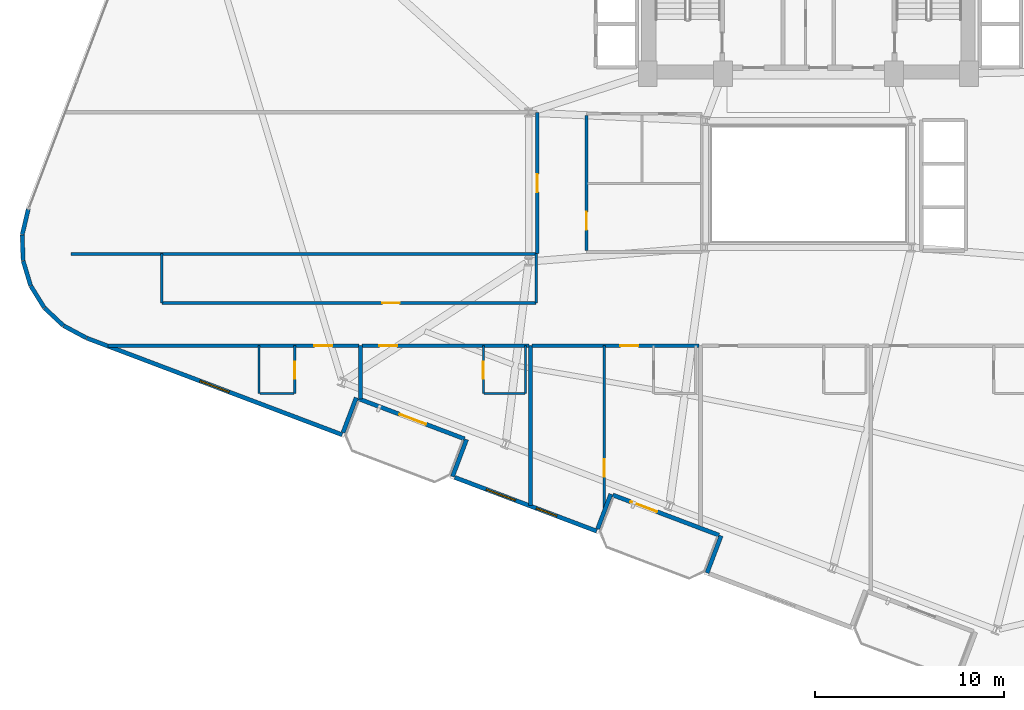
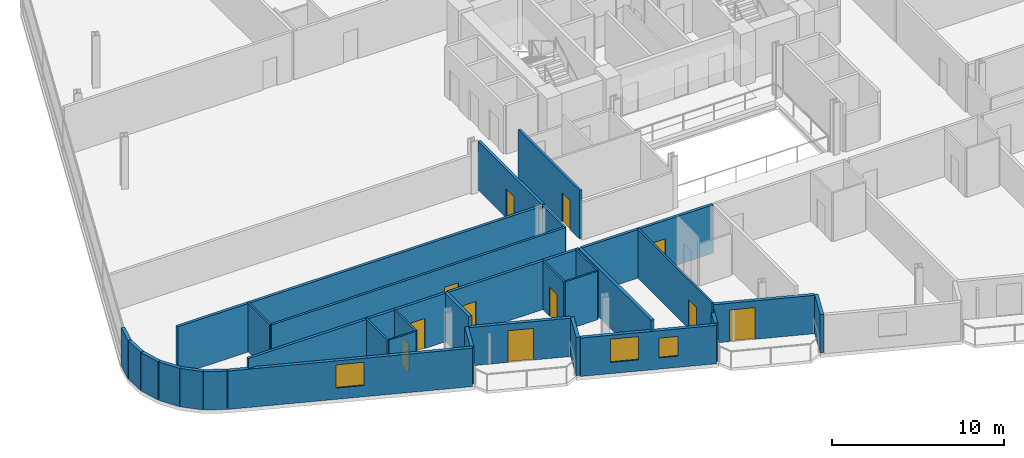
# One storey, part 18 of 26: 32 walls, 11 doors, 3 windows, 14 openings.
"""IFC4 building model written with IfcOpenShell, lengths in metres."""

from ifc_helpers import new_model, si_unit, direction, frame, frame_2d, origin, place, context, subcontext, project, spatial, rectangle, extrude, material, layer, layer_set, type_object, element, fill, save


model = new_model("IFC4")

# Units and contexts
model_context = context("Model", 3, precision=1e-05, world=origin(), true_north=direction((0.0, 1.0)))
body_context = subcontext(model_context, "Body", "Model", "MODEL_VIEW")
ifc_project = project(units=[si_unit("LENGTHUNIT", "METRE"), si_unit("AREAUNIT", "SQUARE_METRE"), si_unit("VOLUMEUNIT", "CUBIC_METRE"), si_unit("PLANEANGLEUNIT", "RADIAN"), si_unit("MASSUNIT", "GRAM", prefix="KILO")], contexts=[model_context])

# Site, building, storey
site_placement = place(None, origin())
site = spatial("IfcSite", under=ifc_project, at=site_placement, CompositionType="ELEMENT")
building_placement = place(site_placement, origin())
building = spatial("IfcBuilding", under=site, at=building_placement, Name="Varnelok Gate Tower", CompositionType="ELEMENT")
storey_placement = place(building_placement, frame((0.0, 0.0, 109.5)))
storey = spatial("IfcBuildingStorey", under=building, at=storey_placement, Name="L27", CompositionType="ELEMENT", Elevation=109.5)

# Wall, opening, door
ifc_material_1 = material(Name="Concrete C45/55", Category="concrete")
ifc_layer_1 = layer(ifc_material_1, 0.219970703125)
ifc_layer_set_1 = layer_set([ifc_layer_1], Name="Concrete C45/55")
wall_type_1 = type_object("IfcWallType", Name="EW-BALC-220", PredefinedType="SOLIDWALL", material=ifc_layer_set_1)
wall_1_placement = place(storey_placement, frame((21.00048828125, 9.42529296875, 0.0), z_axis=(0.0, 0.0, 1.0), x_axis=(-0.93521416643, 0.354082565101, 0.0)))
wall_1 = element("IfcWall", 1, at=wall_1_placement, inside=storey, type_object=wall_type_1, Name="L27 South Terrace Envelope Wall 1", PredefinedType="SOLIDWALL", context=body_context, shape_type="SweptSolid", body=[
    extrude(rectangle(XDim=6.0, YDim=0.219970703125, at=frame_2d((3.0, 0.0))), origin(), (0.0, 0.0, 1.0), 2.72998046875),
])
opening_1_placement = place(wall_1_placement, frame((2.176025390625, 0.0, 0.0)))
opening_1 = element("IfcOpeningElement", 2, at=opening_1_placement, cuts=wall_1, Name="Opening BD-1", PredefinedType="OPENING", context=body_context, shape_type="SweptSolid", body=[
    extrude(rectangle(XDim=1.5, YDim=2.25, at=frame_2d((0.75, 1.125))), frame((0.0, 0.119873046875, 0.0), z_axis=(0.0, -1.0, 0.0), x_axis=(1.0, 0.0, 0.0)), (0.0, 0.0, 1.0), 0.239990234375),
])
ifc_material_2 = material(Name="Anodized Aluminum Alloy 6063-T6", Category="aluminium")
door_type_1 = type_object("IfcDoorType", Name="DR-EXT-BALC1500", OperationType="NOTDEFINED", PredefinedType="DOOR", material=ifc_material_2)
door_1_placement = place(opening_1_placement, origin())
door_1 = element("IfcDoor", 3, at=door_1_placement, inside=storey, type_object=door_type_1, Name="L27 South Balcony Glazed Door 1", OperationType="SINGLE_SWING_RIGHT", OverallHeight=2.25, OverallWidth=1.5, PredefinedType="DOOR", context=body_context, shape_type="SweptSolid", body=[
    extrude(rectangle(XDim=1.5, YDim=2.25, at=frame_2d((0.75, 1.125))), frame((0.0, 0.02490234375, 0.0), z_axis=(0.0, -1.0, 0.0), x_axis=(1.0, 0.0, 0.0)), (0.0, 0.0, 1.0), 0.050048828125),
])
fill(opening_1, door_1)

wall_2_placement = place(storey_placement, frame((34.4677734375, 4.326904296875, 0.0), z_axis=(0.0, 0.0, 1.0), x_axis=(-0.9352192676, 0.354069091436, 0.0)))
wall_2 = element("IfcWall", 4, at=wall_2_placement, inside=storey, type_object=wall_type_1, Name="L27 South Terrace Envelope Wall 2", PredefinedType="SOLIDWALL", context=body_context, shape_type="SweptSolid", body=[
    extrude(rectangle(XDim=6.000244140625, YDim=0.219970703125, at=frame_2d((3.0, 0.0))), origin(), (0.0, 0.0, 1.0), 2.72998046875),
])
opening_2_placement = place(wall_2_placement, frame((3.508056640625, 0.0, 0.0)))
opening_2 = element("IfcOpeningElement", 5, at=opening_2_placement, cuts=wall_2, Name="Opening BD-1", PredefinedType="OPENING", context=body_context, shape_type="SweptSolid", body=[
    extrude(rectangle(XDim=1.5, YDim=2.25, at=frame_2d((0.75, 1.125))), frame((0.0, 0.119873046875, 0.0), z_axis=(0.0, -1.0, 0.0), x_axis=(1.0, 0.0, 0.0)), (0.0, 0.0, 1.0), 0.239990234375),
])
door_2_placement = place(opening_2_placement, origin())
door_2 = element("IfcDoor", 6, at=door_2_placement, inside=storey, type_object=door_type_1, Name="L27 South Balcony Glazed Door 2", OperationType="SINGLE_SWING_LEFT", OverallHeight=2.25, OverallWidth=1.5, PredefinedType="DOOR", context=body_context, shape_type="SweptSolid", body=[
    extrude(rectangle(XDim=1.5, YDim=2.25, at=frame_2d((0.75, 1.125))), frame((0.0, 0.02490234375, 0.0), z_axis=(0.0, -1.0, 0.0), x_axis=(1.0, 0.0, 0.0)), (0.0, 0.0, 1.0), 0.050048828125),
])
fill(opening_2, door_2)

# Walls
wall_3_placement = place(storey_placement, frame((-2.072509765625, 21.571533203125, 0.0), z_axis=(0.0, 0.0, 1.0), x_axis=(-0.229049207401, -0.973414845063, 0.0)))
element("IfcWall", 7, at=wall_3_placement, inside=storey, type_object=wall_type_1, Name="L27 Perimeter Facade Closure Wall 1", PredefinedType="SOLIDWALL", context=body_context, shape_type="SweptSolid", body=[
    extrude(rectangle(XDim=1.378173828125, YDim=0.219970703125, at=frame_2d((0.68896484375, 0.0))), origin(), (0.0, 0.0, 1.0), 2.72998046875),
])
wall_4_placement = place(storey_placement, frame((-2.387451171875, 20.205078125, 0.0), z_axis=(0.0, 0.0, 1.0), x_axis=(0.030857297317, -0.999523800218, 0.0)))
element("IfcWall", 8, at=wall_4_placement, inside=storey, type_object=wall_type_1, Name="L27 Perimeter Facade Closure Wall 2", PredefinedType="SOLIDWALL", context=body_context, shape_type="SweptSolid", body=[
    extrude(rectangle(XDim=1.35302734375, YDim=0.219970703125, at=frame_2d((0.676513671875, 0.0))), origin(), (0.0, 0.0, 1.0), 2.72998046875),
])
wall_5_placement = place(storey_placement, frame((-2.33837890625, 18.82861328125, 0.0), z_axis=(0.0, 0.0, 1.0), x_axis=(0.288374187109, -0.957517795244, 0.0)))
element("IfcWall", 9, at=wall_5_placement, inside=storey, type_object=wall_type_1, Name="L27 Perimeter Facade Closure Wall 3", PredefinedType="SOLIDWALL", context=body_context, shape_type="SweptSolid", body=[
    extrude(rectangle(XDim=1.352783203125, YDim=0.219970703125, at=frame_2d((0.67626953125, 0.0))), origin(), (0.0, 0.0, 1.0), 2.72998046875),
])
wall_6_placement = place(storey_placement, frame((-1.93505859375, 17.511962890625, 0.0), z_axis=(0.0, 0.0, 1.0), x_axis=(0.526360826676, -0.850261301096, 0.0)))
element("IfcWall", 10, at=wall_6_placement, inside=storey, type_object=wall_type_1, Name="L27 Perimeter Facade Closure Wall 4", PredefinedType="SOLIDWALL", context=body_context, shape_type="SweptSolid", body=[
    extrude(rectangle(XDim=1.35302734375, YDim=0.219970703125, at=frame_2d((0.676513671875, 0.0))), origin(), (0.0, 0.0, 1.0), 2.72998046875),
])
wall_7_placement = place(storey_placement, frame((-1.20458984375, 16.344482421875, 0.0), z_axis=(0.0, 0.0, 1.0), x_axis=(0.7285124142, -0.685032599484, 0.0)))
element("IfcWall", 11, at=wall_7_placement, inside=storey, type_object=wall_type_1, Name="L27 Perimeter Facade Closure Wall 5", PredefinedType="SOLIDWALL", context=body_context, shape_type="SweptSolid", body=[
    extrude(rectangle(XDim=1.353271484375, YDim=0.219970703125, at=frame_2d((0.6767578125, 0.0))), origin(), (0.0, 0.0, 1.0), 2.72998046875),
])
wall_8_placement = place(storey_placement, frame((-0.19677734375, 15.405517578125, 0.0), z_axis=(0.0, 0.0, 1.0), x_axis=(0.881023507585, -0.47307248819, 0.0)))
element("IfcWall", 12, at=wall_8_placement, inside=storey, type_object=wall_type_1, Name="L27 Perimeter Facade Closure Wall 6", PredefinedType="SOLIDWALL", context=body_context, shape_type="SweptSolid", body=[
    extrude(rectangle(XDim=1.36083984375, YDim=0.219970703125, at=frame_2d((0.680419921875, 0.0))), origin(), (0.0, 0.0, 1.0), 2.72998046875),
])

# Wall, opening, window
wall_9_placement = place(storey_placement, frame((1.025634765625, 14.7529296875, 0.0), z_axis=(0.0, 0.0, 1.0), x_axis=(0.935222448475, -0.354060689526, 0.0)))
wall_9 = element("IfcWall", 13, at=wall_9_placement, inside=storey, type_object=wall_type_1, Name="L27 Perimeter Facade Closure Wall 7", PredefinedType="SOLIDWALL", context=body_context, shape_type="SweptSolid", body=[
    extrude(rectangle(XDim=14.447265625, YDim=0.219970703125, at=frame_2d((7.2236328125, 0.0))), origin(), (0.0, 0.0, 1.0), 2.72998046875),
])
opening_3_placement = place(wall_9_placement, frame((6.398681640625, 0.0, 0.800048828125)))
opening_3 = element("IfcOpeningElement", 14, at=opening_3_placement, cuts=wall_9, Name="Opening WN3", PredefinedType="OPENING", context=body_context, shape_type="SweptSolid", body=[
    extrude(rectangle(XDim=1.64990234375, YDim=1.64990234375, at=frame_2d((0.824951171875, 0.824951171875))), frame((0.0, 0.119873046875, 0.0), z_axis=(0.0, -1.0, 0.0), x_axis=(1.0, 0.0, 0.0)), (0.0, 0.0, 1.0), 0.239990234375),
])
ifc_material_3 = material(Name="Low-E Laminated Double Glazing IGU", Category="glass")
window_type_1 = type_object("IfcWindowType", Name="WN-HTL-1650", PartitioningType="SINGLE_PANEL", PredefinedType="WINDOW", material=ifc_material_3)
window_1_placement = place(opening_3_placement, origin())
window_1 = element("IfcWindow", 15, at=window_1_placement, inside=storey, type_object=window_type_1, Name="L27 Perimeter Vision Window 7", OverallHeight=1.64990234375, OverallWidth=1.64990234375, PartitioningType="SINGLE_PANEL", PredefinedType="WINDOW", context=body_context, shape_type="SweptSolid", body=[
    extrude(rectangle(XDim=1.64990234375, YDim=1.64990234375, at=frame_2d((0.824951171875, 0.824951171875))), frame((0.0, 0.030029296875, 0.0), z_axis=(0.0, -1.0, 0.0), x_axis=(1.0, 0.0, 0.0)), (0.0, 0.0, 1.0), 0.06005859375),
])
fill(opening_3, window_1)

# Walls
wall_10_placement = place(storey_placement, frame((14.581298828125, 9.754638671875, 0.0), z_axis=(0.0, 0.0, 1.0), x_axis=(0.354061611705, 0.935222099352, 0.0)))
element("IfcWall", 16, at=wall_10_placement, inside=storey, type_object=wall_type_1, Name="L27 Perimeter Facade Closure Wall 8", PredefinedType="SOLIDWALL", context=body_context, shape_type="SweptSolid", body=[
    extrude(rectangle(XDim=1.974853515625, YDim=0.219970703125, at=frame_2d((0.9873046875, 0.0))), origin(), (0.0, 0.0, 1.0), 2.72998046875),
])
wall_11_placement = place(storey_placement, frame((21.1162109375, 9.392333984375, 0.0), z_axis=(0.0, 0.0, 1.0), x_axis=(-0.353988291547, -0.935249854022, 0.0)))
element("IfcWall", 17, at=wall_11_placement, inside=storey, type_object=wall_type_1, Name="L27 Perimeter Facade Closure Wall 9", PredefinedType="SOLIDWALL", context=body_context, shape_type="SweptSolid", body=[
    extrude(rectangle(XDim=2.10009765625, YDim=0.219970703125, at=frame_2d((1.050048828125, 0.0))), origin(), (0.0, 0.0, 1.0), 2.72998046875),
])

# Wall, openings, windows
wall_12_placement = place(storey_placement, frame((20.489501953125, 7.384033203125, 0.0), z_axis=(0.0, 0.0, 1.0), x_axis=(0.935230796934, -0.354038636968, 0.0)))
wall_12 = element("IfcWall", 18, at=wall_12_placement, inside=storey, type_object=wall_type_1, Name="L27 Perimeter Facade Closure Wall 10", PredefinedType="SOLIDWALL", context=body_context, shape_type="SweptSolid", body=[
    extrude(rectangle(XDim=8.03515625, YDim=0.219970703125, at=frame_2d((4.017578125, 0.0))), origin(), (0.0, 0.0, 1.0), 2.72998046875),
])
opening_4_placement = place(wall_12_placement, frame((1.787841796875, 0.0, 0.800048828125)))
opening_4 = element("IfcOpeningElement", 19, at=opening_4_placement, cuts=wall_12, Name="Opening WN3", PredefinedType="OPENING", context=body_context, shape_type="SweptSolid", body=[
    extrude(rectangle(XDim=1.64990234375, YDim=1.64990234375, at=frame_2d((0.824951171875, 0.824951171875))), frame((0.0, 0.119873046875, 0.0), z_axis=(0.0, -1.0, 0.0), x_axis=(1.0, 0.0, 0.0)), (0.0, 0.0, 1.0), 0.239990234375),
])
opening_5_placement = place(wall_12_placement, frame((4.62158203125, 0.0, 0.800048828125)))
opening_5 = element("IfcOpeningElement", 20, at=opening_5_placement, cuts=wall_12, Name="Opening WN8", PredefinedType="OPENING", context=body_context, shape_type="SweptSolid", body=[
    extrude(rectangle(XDim=1.14990234375, YDim=1.39990234375, at=frame_2d((0.574951171875, 0.699951171875))), frame((0.0, 0.119873046875, 0.0), z_axis=(0.0, -1.0, 0.0), x_axis=(1.0, 0.0, 0.0)), (0.0, 0.0, 1.0), 0.239990234375),
])
window_type_2 = type_object("IfcWindowType", Name="WN-BED-1150", PartitioningType="SINGLE_PANEL", PredefinedType="WINDOW", material=ifc_material_3)
window_2_placement = place(opening_5_placement, origin())
window_2 = element("IfcWindow", 21, at=window_2_placement, inside=storey, type_object=window_type_2, Name="L27 Bedroom Vision Window 13", OverallHeight=1.39990234375, OverallWidth=1.14990234375, PartitioningType="SINGLE_PANEL", PredefinedType="WINDOW", context=body_context, shape_type="SweptSolid", body=[
    extrude(rectangle(XDim=1.14990234375, YDim=1.39990234375, at=frame_2d((0.574951171875, 0.699951171875))), frame((0.0, 0.030029296875, 0.0), z_axis=(0.0, -1.0, 0.0), x_axis=(1.0, 0.0, 0.0)), (0.0, 0.0, 1.0), 0.06005859375),
])
fill(opening_5, window_2)
window_3_placement = place(opening_4_placement, origin())
window_3 = element("IfcWindow", 22, at=window_3_placement, inside=storey, type_object=window_type_1, Name="L27 Perimeter Vision Window 10", OverallHeight=1.64990234375, OverallWidth=1.64990234375, PartitioningType="SINGLE_PANEL", PredefinedType="WINDOW", context=body_context, shape_type="SweptSolid", body=[
    extrude(rectangle(XDim=1.64990234375, YDim=1.64990234375, at=frame_2d((0.824951171875, 0.824951171875))), frame((0.0, 0.030029296875, 0.0), z_axis=(0.0, -1.0, 0.0), x_axis=(1.0, 0.0, 0.0)), (0.0, 0.0, 1.0), 0.06005859375),
])
fill(opening_4, window_3)

# Walls
wall_13_placement = place(storey_placement, frame((28.04833984375, 4.656005859375, 0.0), z_axis=(0.0, 0.0, 1.0), x_axis=(0.354128791944, 0.935196663123, 0.0)))
element("IfcWall", 23, at=wall_13_placement, inside=storey, type_object=wall_type_1, Name="L27 Perimeter Facade Closure Wall 11", PredefinedType="SOLIDWALL", context=body_context, shape_type="SweptSolid", body=[
    extrude(rectangle(XDim=1.97509765625, YDim=0.219970703125, at=frame_2d((0.987548828125, 0.0))), origin(), (0.0, 0.0, 1.0), 2.72998046875),
])
wall_14_placement = place(storey_placement, frame((34.58349609375, 4.293701171875, 0.0), z_axis=(0.0, 0.0, 1.0), x_axis=(-0.354128469405, -0.935196785258, 0.0)))
element("IfcWall", 24, at=wall_14_placement, inside=storey, type_object=wall_type_1, Name="L27 Perimeter Facade Closure Wall 12", PredefinedType="SOLIDWALL", context=body_context, shape_type="SweptSolid", body=[
    extrude(rectangle(XDim=2.099853515625, YDim=0.219970703125, at=frame_2d((1.0498046875, 0.0))), origin(), (0.0, 0.0, 1.0), 2.72998046875),
])

# Wall, opening, door
ifc_material_4 = material(Name="Gypsum Plasterboard Acoustic Partition", Category="gypsum")
ifc_layer_2 = layer(ifc_material_4, 0.179931640625)
ifc_layer_set_2 = layer_set([ifc_layer_2], Name="Gypsum Plasterboard Acoustic Partition")
wall_type_2 = type_object("IfcWallType", Name="PW-CORR-180", PredefinedType="PARTITIONING", material=ifc_layer_set_2)
wall_15_placement = place(storey_placement, frame((2.146240234375, 14.35009765625, 0.0), z_axis=(0.0, 0.0, 1.0), x_axis=(1.0, 0.0, 0.0)))
wall_15 = element("IfcWall", 25, at=wall_15_placement, inside=storey, type_object=wall_type_2, Name="Interior Partition", PredefinedType="PARTITIONING", context=body_context, shape_type="SweptSolid", body=[
    extrude(rectangle(XDim=13.273681640625, YDim=0.179931640625, at=frame_2d((6.63671875, 0.0))), origin(), (0.0, 0.0, 1.0), 3.449951171875),
])
opening_6_placement = place(wall_15_placement, frame((10.923583984375, 0.0, 0.0)))
opening_6 = element("IfcOpeningElement", 26, at=opening_6_placement, cuts=wall_15, Name="Opening D-HT", PredefinedType="OPENING", context=body_context, shape_type="SweptSolid", body=[
    extrude(rectangle(XDim=0.949951171875, YDim=2.14990234375, at=frame_2d((0.47509765625, 1.074951171875))), frame((0.0, 0.099853515625, 0.0), z_axis=(0.0, -1.0, 0.0), x_axis=(1.0, 0.0, 0.0)), (0.0, 0.0, 1.0), 0.199951171875),
])
ifc_material_5 = material(Name="Engineered Hardwood Timber", Category="wood")
door_type_2 = type_object("IfcDoorType", Name="DR-HTL-950", OperationType="NOTDEFINED", PredefinedType="DOOR", material=ifc_material_5)
door_3_placement = place(opening_6_placement, origin())
door_3 = element("IfcDoor", 27, at=door_3_placement, inside=storey, type_object=door_type_2, Name="L27 Guest Room 01 Entrance Door", OperationType="SINGLE_SWING_RIGHT", OverallHeight=2.14990234375, OverallWidth=0.949951171875, PredefinedType="DOOR", context=body_context, shape_type="SweptSolid", body=[
    extrude(rectangle(XDim=0.949951171875, YDim=2.14990234375, at=frame_2d((0.47509765625, 1.074951171875))), frame((0.0, 0.02490234375, 0.0), z_axis=(0.0, -1.0, 0.0), x_axis=(1.0, 0.0, 0.0)), (0.0, 0.0, 1.0), 0.050048828125),
])
fill(opening_6, door_3)

wall_16_placement = place(storey_placement, frame((15.580078125, 14.35009765625, 0.0), z_axis=(0.0, 0.0, 1.0), x_axis=(1.0, 0.0, 0.0)))
wall_16 = element("IfcWall", 28, at=wall_16_placement, inside=storey, type_object=wall_type_2, Name="Interior Partition", PredefinedType="PARTITIONING", context=body_context, shape_type="SweptSolid", body=[
    extrude(rectangle(XDim=8.83984375, YDim=0.179931640625, at=frame_2d((4.419921875, 0.0))), origin(), (0.0, 0.0, 1.0), 3.449951171875),
])
opening_7_placement = place(wall_16_placement, frame((0.91796875, 0.0, 0.0)))
opening_7 = element("IfcOpeningElement", 29, at=opening_7_placement, cuts=wall_16, Name="Opening D-HT", PredefinedType="OPENING", context=body_context, shape_type="SweptSolid", body=[
    extrude(rectangle(XDim=0.949951171875, YDim=2.14990234375, at=frame_2d((0.47509765625, 1.074951171875))), frame((0.0, 0.099853515625, 0.0), z_axis=(0.0, -1.0, 0.0), x_axis=(1.0, 0.0, 0.0)), (0.0, 0.0, 1.0), 0.199951171875),
])
door_4_placement = place(opening_7_placement, origin())
door_4 = element("IfcDoor", 30, at=door_4_placement, inside=storey, type_object=door_type_2, Name="L27 Guest Room 02 Entrance Door", OperationType="SINGLE_SWING_LEFT", OverallHeight=2.14990234375, OverallWidth=0.949951171875, PredefinedType="DOOR", context=body_context, shape_type="SweptSolid", body=[
    extrude(rectangle(XDim=0.949951171875, YDim=2.14990234375, at=frame_2d((0.47509765625, 1.074951171875))), frame((0.0, 0.02490234375, 0.0), z_axis=(0.0, -1.0, 0.0), x_axis=(1.0, 0.0, 0.0)), (0.0, 0.0, 1.0), 0.050048828125),
])
fill(opening_7, door_4)

wall_17_placement = place(storey_placement, frame((24.580078125, 14.35009765625, 0.0), z_axis=(0.0, 0.0, 1.0), x_axis=(1.0, 0.0, 0.0)))
wall_17 = element("IfcWall", 31, at=wall_17_placement, inside=storey, type_object=wall_type_2, Name="Interior Partition", PredefinedType="PARTITIONING", context=body_context, shape_type="SweptSolid", body=[
    extrude(rectangle(XDim=8.83984375, YDim=0.179931640625, at=frame_2d((4.419921875, 0.0))), origin(), (0.0, 0.0, 1.0), 3.449951171875),
])
opening_8_placement = place(wall_17_placement, frame((4.679931640625, 0.0, 0.0)))
opening_8 = element("IfcOpeningElement", 32, at=opening_8_placement, cuts=wall_17, Name="Opening D-HT", PredefinedType="OPENING", context=body_context, shape_type="SweptSolid", body=[
    extrude(rectangle(XDim=0.949951171875, YDim=2.14990234375, at=frame_2d((0.47509765625, 1.074951171875))), frame((0.0, 0.099853515625, 0.0), z_axis=(0.0, -1.0, 0.0), x_axis=(1.0, 0.0, 0.0)), (0.0, 0.0, 1.0), 0.199951171875),
])
door_5_placement = place(opening_8_placement, origin())
door_5 = element("IfcDoor", 33, at=door_5_placement, inside=storey, type_object=door_type_2, Name="L27 Guest Room 03 Entrance Door", OperationType="SINGLE_SWING_RIGHT", OverallHeight=2.14990234375, OverallWidth=0.949951171875, PredefinedType="DOOR", context=body_context, shape_type="SweptSolid", body=[
    extrude(rectangle(XDim=0.949951171875, YDim=2.14990234375, at=frame_2d((0.47509765625, 1.074951171875))), frame((0.0, 0.02490234375, 0.0), z_axis=(0.0, -1.0, 0.0), x_axis=(1.0, 0.0, 0.0)), (0.0, 0.0, 1.0), 0.050048828125),
])
fill(opening_8, door_5)

wall_18_placement = place(storey_placement, frame((24.85009765625, 19.239990234375, 0.0), z_axis=(0.0, 0.0, 1.0), x_axis=(0.0, 1.0, 0.0)))
wall_18 = element("IfcWall", 34, at=wall_18_placement, inside=storey, type_object=wall_type_2, Name="Interior Partition", PredefinedType="PARTITIONING", context=body_context, shape_type="SweptSolid", body=[
    extrude(rectangle(XDim=7.4599609375, YDim=0.179931640625, at=frame_2d((3.72998046875, 0.0))), origin(), (0.0, 0.0, 1.0), 3.449951171875),
])
opening_9_placement = place(wall_18_placement, frame((3.235107421875, 0.0, 0.0)))
opening_9 = element("IfcOpeningElement", 35, at=opening_9_placement, cuts=wall_18, Name="Opening D-I2", PredefinedType="OPENING", context=body_context, shape_type="SweptSolid", body=[
    extrude(rectangle(XDim=0.949951171875, YDim=2.050048828125, at=frame_2d((0.47509765625, 1.02490234375))), frame((0.0, 0.099853515625, 0.0), z_axis=(0.0, -1.0, 0.0), x_axis=(1.0, 0.0, 0.0)), (0.0, 0.0, 1.0), 0.199951171875),
])
door_type_3 = type_object("IfcDoorType", Name="DR-INT-950", OperationType="NOTDEFINED", PredefinedType="DOOR", material=ifc_material_5)
door_6_placement = place(opening_9_placement, origin())
door_6 = element("IfcDoor", 36, at=door_6_placement, inside=storey, type_object=door_type_3, Name="L27 West Flank Room Door", OperationType="SINGLE_SWING_LEFT", OverallHeight=2.050048828125, OverallWidth=0.949951171875, PredefinedType="DOOR", context=body_context, shape_type="SweptSolid", body=[
    extrude(rectangle(XDim=0.949951171875, YDim=2.050048828125, at=frame_2d((0.47509765625, 1.02490234375))), frame((0.0, 0.02490234375, 0.0), z_axis=(0.0, -1.0, 0.0), x_axis=(1.0, 0.0, 0.0)), (0.0, 0.0, 1.0), 0.050048828125),
])
fill(opening_9, door_6)

# Walls
wall_19_placement = place(storey_placement, frame((0.199951171875, 19.199951171875, 0.0), z_axis=(0.0, 0.0, 1.0), x_axis=(1.0, 0.0, 0.0)))
element("IfcWall", 37, at=wall_19_placement, inside=storey, type_object=wall_type_2, Name="Interior Partition", PredefinedType="PARTITIONING", context=body_context, shape_type="SweptSolid", body=[
    extrude(rectangle(XDim=24.650146484375, YDim=0.179931640625, at=frame_2d((12.3251953125, 0.0))), origin(), (0.0, 0.0, 1.0), 3.449951171875),
])
ifc_layer_3 = layer(ifc_material_4, 0.114990234375)
ifc_layer_set_3 = layer_set([ifc_layer_3], Name="Gypsum Plasterboard Acoustic Partition")
wall_type_3 = type_object("IfcWallType", Name="PW-ENS-125", PredefinedType="PARTITIONING", material=ifc_layer_set_3)
wall_20_placement = place(storey_placement, frame((10.179931640625, 11.830078125, 0.0), z_axis=(0.0, 0.0, 1.0), x_axis=(1.0, 0.0, 0.0)))
element("IfcWall", 38, at=wall_20_placement, inside=storey, type_object=wall_type_3, Name="Interior Partition", PredefinedType="PARTITIONING", context=body_context, shape_type="SweptSolid", body=[
    extrude(rectangle(XDim=1.807373046875, YDim=0.114990234375, at=frame_2d((0.90380859375, 0.0))), origin(), (0.0, 0.0, 1.0), 3.449951171875),
])

# Wall, opening, door
wall_21_placement = place(storey_placement, frame((12.027099609375, 11.830078125, 0.0), z_axis=(0.0, 0.0, 1.0), x_axis=(0.0, 1.0, 0.0)))
wall_21 = element("IfcWall", 39, at=wall_21_placement, inside=storey, type_object=wall_type_3, Name="Interior Partition", PredefinedType="PARTITIONING", context=body_context, shape_type="SweptSolid", body=[
    extrude(rectangle(XDim=2.52001953125, YDim=0.114990234375, at=frame_2d((1.260009765625, 0.0))), origin(), (0.0, 0.0, 1.0), 3.449951171875),
])
opening_10_placement = place(wall_21_placement, frame((0.760009765625, 0.0, 0.0)))
opening_10 = element("IfcOpeningElement", 40, at=opening_10_placement, cuts=wall_21, Name="Opening D-WC", PredefinedType="OPENING", context=body_context, shape_type="SweptSolid", body=[
    extrude(rectangle(XDim=0.89990234375, YDim=2.050048828125, at=frame_2d((0.449951171875, 1.02490234375))), frame((0.0, 0.0673828125, 0.0), z_axis=(0.0, -1.0, 0.0), x_axis=(1.0, 0.0, 0.0)), (0.0, 0.0, 1.0), 0.135009765625),
])
door_type_4 = type_object("IfcDoorType", Name="DR-BATH-900", OperationType="NOTDEFINED", PredefinedType="DOOR", material=ifc_material_5)
door_7_placement = place(opening_10_placement, origin())
door_7 = element("IfcDoor", 41, at=door_7_placement, inside=storey, type_object=door_type_4, Name="L27 Guest En-Suite 01 Door", OperationType="SINGLE_SWING_LEFT", OverallHeight=2.050048828125, OverallWidth=0.89990234375, PredefinedType="DOOR", context=body_context, shape_type="SweptSolid", body=[
    extrude(rectangle(XDim=0.89990234375, YDim=2.050048828125, at=frame_2d((0.449951171875, 1.02490234375))), frame((0.0, 0.02490234375, 0.0), z_axis=(0.0, -1.0, 0.0), x_axis=(1.0, 0.0, 0.0)), (0.0, 0.0, 1.0), 0.050048828125),
])
fill(opening_10, door_7)

# Walls
wall_22_placement = place(storey_placement, frame((10.139892578125, 11.830078125, 0.0), z_axis=(0.0, 0.0, 1.0), x_axis=(0.0, 1.0, 0.0)))
element("IfcWall", 42, at=wall_22_placement, inside=storey, type_object=wall_type_3, Name="Interior Partition", PredefinedType="PARTITIONING", context=body_context, shape_type="SweptSolid", body=[
    extrude(rectangle(XDim=2.52001953125, YDim=0.114990234375, at=frame_2d((1.260009765625, 0.0))), origin(), (0.0, 0.0, 1.0), 3.449951171875),
])
wall_23_placement = place(storey_placement, frame((22.050048828125, 11.830078125, 0.0), z_axis=(0.0, 0.0, 1.0), x_axis=(1.0, 0.0, 0.0)))
element("IfcWall", 43, at=wall_23_placement, inside=storey, type_object=wall_type_3, Name="Interior Partition", PredefinedType="PARTITIONING", context=body_context, shape_type="SweptSolid", body=[
    extrude(rectangle(XDim=2.14990234375, YDim=0.114990234375, at=frame_2d((1.074951171875, 0.0))), origin(), (0.0, 0.0, 1.0), 3.449951171875),
])

# Wall, opening, door
wall_24_placement = place(storey_placement, frame((22.010009765625, 11.830078125, 0.0), z_axis=(0.0, 0.0, 1.0), x_axis=(0.0, 1.0, 0.0)))
wall_24 = element("IfcWall", 44, at=wall_24_placement, inside=storey, type_object=wall_type_3, Name="Interior Partition", PredefinedType="PARTITIONING", context=body_context, shape_type="SweptSolid", body=[
    extrude(rectangle(XDim=2.52001953125, YDim=0.114990234375, at=frame_2d((1.260009765625, 0.0))), origin(), (0.0, 0.0, 1.0), 3.449951171875),
])
opening_11_placement = place(wall_24_placement, frame((0.760009765625, 0.0, 0.0)))
opening_11 = element("IfcOpeningElement", 45, at=opening_11_placement, cuts=wall_24, Name="Opening D-WC", PredefinedType="OPENING", context=body_context, shape_type="SweptSolid", body=[
    extrude(rectangle(XDim=0.89990234375, YDim=2.050048828125, at=frame_2d((0.449951171875, 1.02490234375))), frame((0.0, 0.0673828125, 0.0), z_axis=(0.0, -1.0, 0.0), x_axis=(1.0, 0.0, 0.0)), (0.0, 0.0, 1.0), 0.135009765625),
])
door_8_placement = place(opening_11_placement, origin())
door_8 = element("IfcDoor", 46, at=door_8_placement, inside=storey, type_object=door_type_4, Name="L27 Guest En-Suite 02 Door", OperationType="SINGLE_SWING_RIGHT", OverallHeight=2.050048828125, OverallWidth=0.89990234375, PredefinedType="DOOR", context=body_context, shape_type="SweptSolid", body=[
    extrude(rectangle(XDim=0.89990234375, YDim=2.050048828125, at=frame_2d((0.449951171875, 1.02490234375))), frame((0.0, 0.02490234375, 0.0), z_axis=(0.0, -1.0, 0.0), x_axis=(1.0, 0.0, 0.0)), (0.0, 0.0, 1.0), 0.050048828125),
])
fill(opening_11, door_8)

# Walls
wall_25_placement = place(storey_placement, frame((24.239990234375, 11.830078125, 0.0), z_axis=(0.0, 0.0, 1.0), x_axis=(0.0, 1.0, 0.0)))
element("IfcWall", 47, at=wall_25_placement, inside=storey, type_object=wall_type_3, Name="Interior Partition", PredefinedType="PARTITIONING", context=body_context, shape_type="SweptSolid", body=[
    extrude(rectangle(XDim=2.52001953125, YDim=0.114990234375, at=frame_2d((1.260009765625, 0.0))), origin(), (0.0, 0.0, 1.0), 3.449951171875),
])
ifc_layer_4 = layer(ifc_material_4, 0.125)
ifc_layer_set_4 = layer_set([ifc_layer_4], Name="Gypsum Plasterboard Acoustic Partition")
wall_type_4 = type_object("IfcWallType", Name="PW-PART-125", PredefinedType="PARTITIONING", material=ifc_layer_set_4)
for number, where, z_axis, x_axis, name in (
    (48, (5.0, 16.610107421875, 0.0), (0.0, 0.0, 1.0), (0.0, 1.0, 0.0), "Interior Partition"),
    (49, (24.800048828125, 16.610107421875, 0.0), (0.0, 0.0, 1.0), (0.0, 1.0, 0.0), "Interior Partition"),
):
    element("IfcWall", number, at=place(storey_placement, frame(where, z_axis=z_axis, x_axis=x_axis)), inside=storey, type_object=wall_type_4, Name=name, PredefinedType="PARTITIONING", context=body_context, shape_type="SweptSolid", body=[
        extrude(rectangle(XDim=2.6298828125, YDim=0.125, at=frame_2d((1.31494140625, 0.0))), origin(), (0.0, 0.0, 1.0), 3.449951171875),
    ])

# Wall, opening, door
wall_26_placement = place(storey_placement, frame((28.39990234375, 5.641357421875, 0.0), z_axis=(0.0, 0.0, 1.0), x_axis=(0.0, 1.0, 0.0)))
wall_26 = element("IfcWall", 50, at=wall_26_placement, inside=storey, type_object=wall_type_4, Name="Interior Partition", PredefinedType="PARTITIONING", context=body_context, shape_type="SweptSolid", body=[
    extrude(rectangle(XDim=8.708740234375, YDim=0.125, at=frame_2d((4.3544921875, 0.0))), origin(), (0.0, 0.0, 1.0), 3.449951171875),
])
opening_12_placement = place(wall_26_placement, frame((1.77197265625, 0.0, 0.0)))
opening_12 = element("IfcOpeningElement", 51, at=opening_12_placement, cuts=wall_26, Name="Opening D-I3", PredefinedType="OPENING", context=body_context, shape_type="SweptSolid", body=[
    extrude(rectangle(XDim=0.919921875, YDim=2.050048828125, at=frame_2d((0.4599609375, 1.02490234375))), frame((0.0, 0.072509765625, 0.0), z_axis=(0.0, -1.0, 0.0), x_axis=(1.0, 0.0, 0.0)), (0.0, 0.0, 1.0), 0.14501953125),
])
door_type_5 = type_object("IfcDoorType", Name="DR-INT-920", OperationType="NOTDEFINED", PredefinedType="DOOR", material=ifc_material_5)
door_9_placement = place(opening_12_placement, origin())
door_9 = element("IfcDoor", 52, at=door_9_placement, inside=storey, type_object=door_type_5, Name="L27 Suite Bedroom Door 3", OperationType="SINGLE_SWING_LEFT", OverallHeight=2.050048828125, OverallWidth=0.919921875, PredefinedType="DOOR", context=body_context, shape_type="SweptSolid", body=[
    extrude(rectangle(XDim=0.919921875, YDim=2.050048828125, at=frame_2d((0.4599609375, 1.02490234375))), frame((0.0, 0.02490234375, 0.0), z_axis=(0.0, -1.0, 0.0), x_axis=(1.0, 0.0, 0.0)), (0.0, 0.0, 1.0), 0.050048828125),
])
fill(opening_12, door_9)

ifc_layer_5 = layer(ifc_material_4, 0.14990234375)
ifc_layer_set_5 = layer_set([ifc_layer_5], Name="Gypsum Plasterboard Acoustic Partition")
wall_type_5 = type_object("IfcWallType", Name="PW-PART-150", PredefinedType="PARTITIONING", material=ifc_layer_set_5)
wall_27_placement = place(storey_placement, frame((5.0, 16.610107421875, 0.0), z_axis=(0.0, 0.0, 1.0), x_axis=(1.0, 0.0, 0.0)))
wall_27 = element("IfcWall", 53, at=wall_27_placement, inside=storey, type_object=wall_type_5, Name="Interior Partition", PredefinedType="PARTITIONING", context=body_context, shape_type="SweptSolid", body=[
    extrude(rectangle(XDim=19.800048828125, YDim=0.14990234375, at=frame_2d((9.89990234375, 0.0))), origin(), (0.0, 0.0, 1.0), 3.449951171875),
])
opening_13_placement = place(wall_27_placement, frame((11.659912109375, 0.0, 0.0)))
opening_13 = element("IfcOpeningElement", 54, at=opening_13_placement, cuts=wall_27, Name="Opening D-I3", PredefinedType="OPENING", context=body_context, shape_type="SweptSolid", body=[
    extrude(rectangle(XDim=0.919921875, YDim=2.050048828125, at=frame_2d((0.4599609375, 1.02490234375))), frame((0.0, 0.0849609375, 0.0), z_axis=(0.0, -1.0, 0.0), x_axis=(1.0, 0.0, 0.0)), (0.0, 0.0, 1.0), 0.169921875),
])
door_10_placement = place(opening_13_placement, origin())
door_10 = element("IfcDoor", 55, at=door_10_placement, inside=storey, type_object=door_type_5, Name="L27 Atrium Room 1 Door", OperationType="SINGLE_SWING_LEFT", OverallHeight=2.050048828125, OverallWidth=0.919921875, PredefinedType="DOOR", context=body_context, shape_type="SweptSolid", body=[
    extrude(rectangle(XDim=0.919921875, YDim=2.050048828125, at=frame_2d((0.4599609375, 1.02490234375))), frame((0.0, 0.02490234375, 0.0), z_axis=(0.0, -1.0, 0.0), x_axis=(1.0, 0.0, 0.0)), (0.0, 0.0, 1.0), 0.050048828125),
])
fill(opening_13, door_10)

wall_28_placement = place(storey_placement, frame((27.4599609375, 19.3798828125, 0.0), z_axis=(0.0, 0.0, 1.0), x_axis=(0.0, 1.0, 0.0)))
wall_28 = element("IfcWall", 56, at=wall_28_placement, inside=storey, type_object=wall_type_5, Name="Interior Partition", PredefinedType="PARTITIONING", context=body_context, shape_type="SweptSolid", body=[
    extrude(rectangle(XDim=7.16015625, YDim=0.14990234375, at=frame_2d((3.580078125, 0.0))), origin(), (0.0, 0.0, 1.0), 3.449951171875),
])
opening_14_placement = place(wall_28_placement, frame((1.10009765625, 0.0, 0.0)))
opening_14 = element("IfcOpeningElement", 57, at=opening_14_placement, cuts=wall_28, Name="Opening D-I2", PredefinedType="OPENING", context=body_context, shape_type="SweptSolid", body=[
    extrude(rectangle(XDim=0.949951171875, YDim=2.050048828125, at=frame_2d((0.47509765625, 1.02490234375))), frame((0.0, 0.0849609375, 0.0), z_axis=(0.0, -1.0, 0.0), x_axis=(1.0, 0.0, 0.0)), (0.0, 0.0, 1.0), 0.169921875),
])
door_11_placement = place(opening_14_placement, origin())
door_11 = element("IfcDoor", 58, at=door_11_placement, inside=storey, type_object=door_type_3, Name="L27 Private Owners Horizon Club Door", OperationType="SINGLE_SWING_LEFT", OverallHeight=2.050048828125, OverallWidth=0.949951171875, PredefinedType="DOOR", context=body_context, shape_type="SweptSolid", body=[
    extrude(rectangle(XDim=0.949951171875, YDim=2.050048828125, at=frame_2d((0.47509765625, 1.02490234375))), frame((0.0, 0.02490234375, 0.0), z_axis=(0.0, -1.0, 0.0), x_axis=(1.0, 0.0, 0.0)), (0.0, 0.0, 1.0), 0.050048828125),
])
fill(opening_14, door_11)

# Walls
ifc_layer_6 = layer(ifc_material_4, 0.205078125)
ifc_layer_set_6 = layer_set([ifc_layer_6], Name="Gypsum Plasterboard Acoustic Partition")
wall_type_6 = type_object("IfcWallType", Name="PW-PARTY-200", PredefinedType="PARTITIONING", material=ifc_layer_set_6)
wall_29_placement = place(storey_placement, frame((15.5, 11.539794921875, 0.0), z_axis=(0.0, 0.0, 1.0), x_axis=(0.0, 1.0, 0.0)))
element("IfcWall", 59, at=wall_29_placement, inside=storey, type_object=wall_type_6, Name="L27 South Party Wall 1", PredefinedType="PARTITIONING", context=body_context, shape_type="SweptSolid", body=[
    extrude(rectangle(XDim=2.810302734375, YDim=0.205078125, at=frame_2d((1.4052734375, 0.0))), origin(), (0.0, 0.0, 1.0), 3.449951171875),
])
wall_30_placement = place(storey_placement, frame((24.5, 5.88720703125, 0.0), z_axis=(0.0, 0.0, 1.0), x_axis=(0.0, 1.0, 0.0)))
element("IfcWall", 60, at=wall_30_placement, inside=storey, type_object=wall_type_6, Name="L27 South Party Wall 2", PredefinedType="PARTITIONING", context=body_context, shape_type="SweptSolid", body=[
    extrude(rectangle(XDim=8.462890625, YDim=0.205078125, at=frame_2d((4.2314453125, 0.0))), origin(), (0.0, 0.0, 1.0), 3.449951171875),
])

save(model, "model.ifc")
